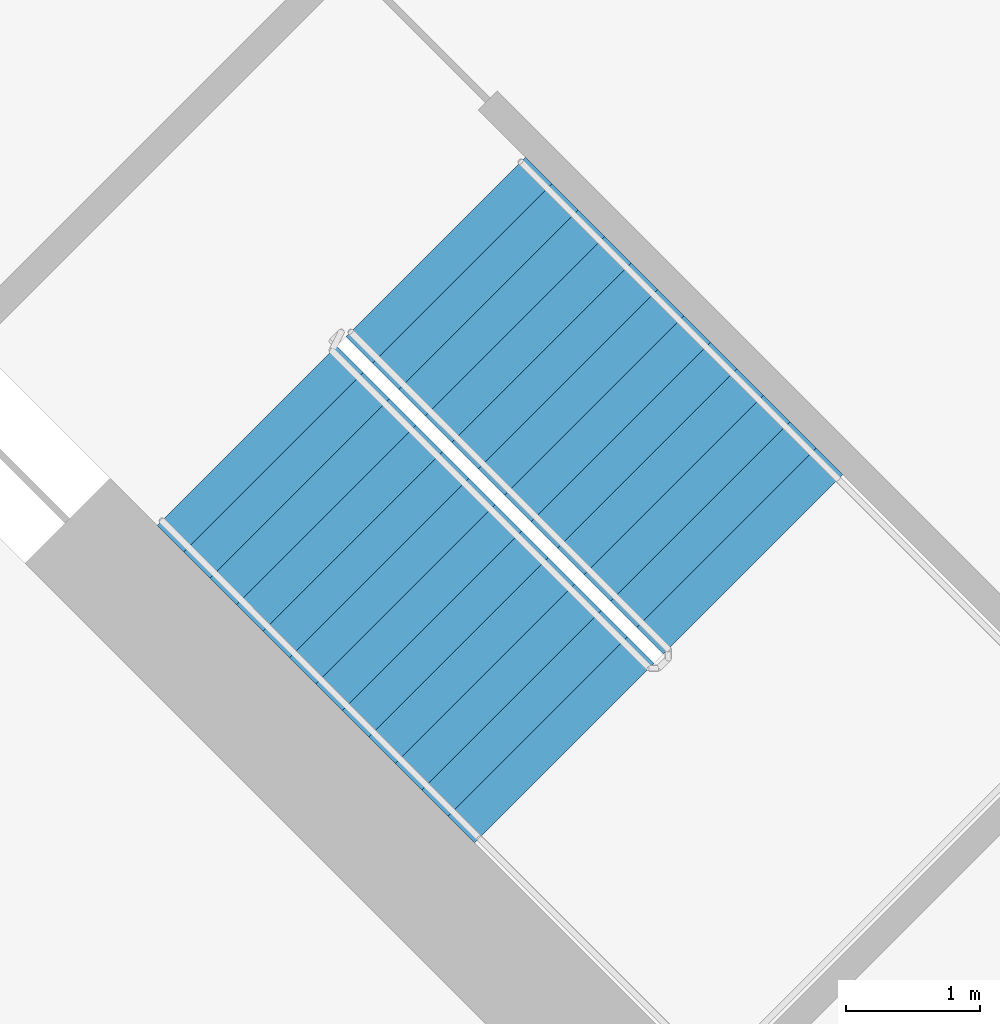
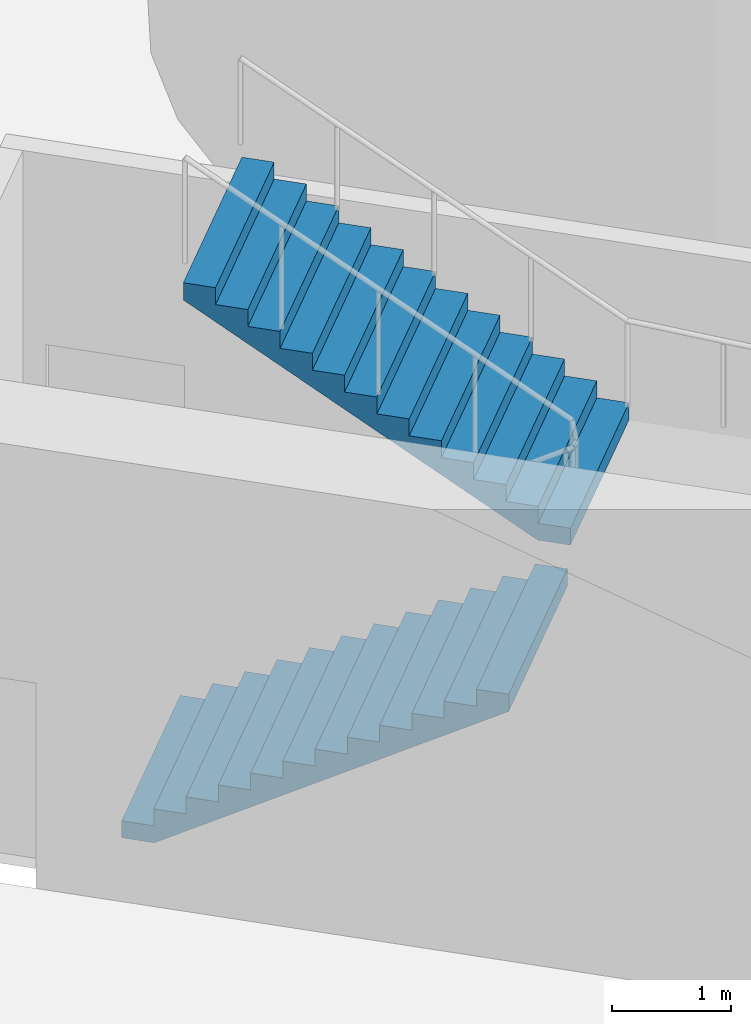
# One storey, part 10 of 21: 2 stair flights, 1 element without a shape of its own.
"""IFC4 building model written with IfcOpenShell, lengths in metres."""

import ifcopenshell
import ifcopenshell.guid

model = None  # the IFC model being written
_history = None  # IfcOwnerHistory: only IFC2X3 demands one
_inside = {}  # id of a spatial element -> (the spatial element, [elements in it])
_under = {}  # id of a project, library or spatial element -> (it, [spatial elements below it])
_declared = {}  # id of a project -> (the project, [libraries it declares])
_typed = {}  # id of a type object -> (the type object, [elements of that type])
_made_of = {}  # id of a material, layer set ... -> (it, [elements and type objects made of it])


def new_model(schema):
    """Start an empty IFC model of exactly this schema.

    Asked for "IFC4X3", IfcOpenShell would pick the latest addendum, in which some entities
    have other attributes; the version numbers below select the first issue.
    IFC2X3 requires an IfcOwnerHistory on every rooted entity: one is made here for all.
    """
    global model, _history
    if schema == "IFC4X3":
        model = ifcopenshell.file(schema_version=(4, 3, 0, 0))
    else:
        model = ifcopenshell.file(schema=schema)
    _inside.clear()
    _under.clear()
    _declared.clear()
    _typed.clear()
    _made_of.clear()
    _history = None
    if model.schema == "IFC2X3":
        org = make("IfcOrganization", Name="unknown")
        user = make(
            "IfcPersonAndOrganization",
            ThePerson=make("IfcPerson", FamilyName="unknown"),
            TheOrganization=org,
        )
        app = make(
            "IfcApplication",
            ApplicationDeveloper=org,
            Version="unknown",
            ApplicationFullName="unknown",
            ApplicationIdentifier="unknown",
        )
        _history = make(
            "IfcOwnerHistory",
            OwningUser=user,
            OwningApplication=app,
            ChangeAction="ADDED",
            CreationDate=0,
        )
    return model


def make(cls, **values):
    """One entity of the class cls with the attributes given. An attribute that is None is left unset."""
    return model.create_entity(
        cls, **{name: value for name, value in values.items() if value is not None}
    )


def rooted(cls, **values):
    """An entity with a GlobalId (a new one), such as an element, a storey or a relation."""
    return make(cls, GlobalId=ifcopenshell.guid.new(), OwnerHistory=_history, **values)


def si_unit(unit_type, name, prefix=None):
    """IfcSIUnit, for example si_unit("LENGTHUNIT", "METRE", prefix="MILLI")."""
    return make("IfcSIUnit", UnitType=unit_type, Prefix=prefix, Name=name)


def assignment(units):
    """IfcUnitAssignment: the units of a project."""
    return None if units is None else make("IfcUnitAssignment", Units=units)


def point(xyz):
    """IfcCartesianPoint."""
    return None if xyz is None else make("IfcCartesianPoint", Coordinates=xyz)


def direction(xyz):
    """IfcDirection."""
    return None if xyz is None else make("IfcDirection", DirectionRatios=xyz)


def frame(location, z_axis=None, x_axis=None):
    """IfcAxis2Placement3D, a coordinate frame: its origin and axes. An axis left out is left unset."""
    return make(
        "IfcAxis2Placement3D",
        Location=point(location),
        Axis=direction(z_axis),
        RefDirection=direction(x_axis),
    )


def origin():
    """The frame at (0, 0, 0) with its axes left unset."""
    return frame((0.0, 0.0, 0.0))


def place(relative_to, where):
    """IfcLocalPlacement: puts the frame where relative to a parent placement (None: the world)."""
    return make(
        "IfcLocalPlacement", PlacementRelTo=relative_to, RelativePlacement=where
    )


def context(
    kind, dimensions, precision=None, world=None, true_north=None, identifier=None
):
    """IfcGeometricRepresentationContext, for example the 3D "Model" context."""
    return make(
        "IfcGeometricRepresentationContext",
        ContextIdentifier=identifier,
        ContextType=kind,
        CoordinateSpaceDimension=dimensions,
        Precision=precision,
        WorldCoordinateSystem=world,
        TrueNorth=true_north,
    )


def subcontext(parent, identifier, kind, view, scale=None):
    """IfcGeometricRepresentationSubContext, for example "Body" below "Model"."""
    return make(
        "IfcGeometricRepresentationSubContext",
        ContextIdentifier=identifier,
        ContextType=kind,
        ParentContext=parent,
        TargetScale=scale,
        TargetView=view,
    )


def project(units=None, contexts=None):
    """IfcProject with its units and contexts."""
    return rooted(
        "IfcProject",
        Name="project",
        RepresentationContexts=contexts,
        UnitsInContext=assignment(units),
    )


def spatial(cls, under=None, at=None, **own):
    """A site, building, storey or space (cls), placed at a placement, below another one or the project."""
    s = rooted(cls, ObjectPlacement=at, **own)
    if under is not None:
        _under.setdefault(under.id(), (under, []))[1].append(s)
    return s


def point_list(points):
    """IfcCartesianPointList2D or 3D."""
    cls = (
        "IfcCartesianPointList2D" if len(points[0]) == 2 else "IfcCartesianPointList3D"
    )
    return make(cls, CoordList=points)


def triangles(points, corners, closed=None, point_numbers=None):
    """IfcTriangulatedFaceSet: each triangle names its three corners, points numbered from 1."""
    return make(
        "IfcTriangulatedFaceSet",
        Coordinates=point_list(points),
        Closed=closed,
        CoordIndex=corners,
        PnIndex=point_numbers,
    )


def shape(context_of_items, identifier, shape_type, items):
    """IfcShapeRepresentation: the items that make up one representation, for example the "Body"."""
    return make(
        "IfcShapeRepresentation",
        ContextOfItems=context_of_items,
        RepresentationIdentifier=identifier,
        RepresentationType=shape_type,
        Items=items,
    )


def material(Name=None, Category=None):
    """IfcMaterial."""
    return make("IfcMaterial", Name=Name, Category=Category)


def made_of(thing, what):
    """Note that an element or type object is made of a material, layer set ...; save() writes the relation."""
    if what is not None:
        _made_of.setdefault(what.id(), (what, []))[1].append(thing)
    return thing


def type_object(cls, material=None, **own):
    """A type object (cls), such as IfcWallType, which elements share."""
    return made_of(rooted(cls, **own), material)


def element(
    cls,
    number,
    at=None,
    inside=None,
    cuts=None,
    type_object=None,
    material=None,
    context=None,
    identifier="Body",
    shape_type=None,
    held_by="IfcProductDefinitionShape",
    body=None,
    shapes=None,
    **own,
):
    """One element of the class cls, such as IfcWall. Its Tag is "e" and its number.

    at: its placement. inside: the storey or other place that contains it. cuts: it is an
    opening in that element (IfcRelVoidsElement). A single representation is given by context,
    identifier, shape_type and body (its items); several are given by shapes. held_by: the class
    of the entity that holds the representations. save() writes the other relations.
    """
    e = rooted(cls, Tag="e%d" % number, ObjectPlacement=at, **own)
    if body is not None:
        shapes = [shape(context, identifier, shape_type, body)]
    if shapes is not None:
        e.Representation = make(held_by, Representations=shapes)
    if inside is not None:
        _inside.setdefault(inside.id(), (inside, []))[1].append(e)
    if cuts is not None:
        rooted(
            "IfcRelVoidsElement", RelatingBuildingElement=cuts, RelatedOpeningElement=e
        )
    if type_object is not None:
        _typed.setdefault(type_object.id(), (type_object, []))[1].append(e)
    return made_of(e, material)


def aggregate(whole, parts):
    """IfcRelAggregates: a whole, such as a stair, and the parts it consists of."""
    return rooted("IfcRelAggregates", RelatingObject=whole, RelatedObjects=parts)


def save(model, path):
    """Write the relations noted so far, then the file.

    IfcRelAggregates (storeys below a building ...), IfcRelContainedInSpatialStructure (elements
    in a storey), IfcRelDefinesByType, IfcRelAssociatesMaterial and IfcRelDeclares: one each for
    every whole, place, type object, material and project.
    """
    for whole, parts in _under.values():
        aggregate(whole, parts)
    for where, things in _inside.values():
        rooted(
            "IfcRelContainedInSpatialStructure",
            RelatedElements=things,
            RelatingStructure=where,
        )
    for kind, things in _typed.values():
        rooted("IfcRelDefinesByType", RelatedObjects=things, RelatingType=kind)
    for what, things in _made_of.values():
        rooted("IfcRelAssociatesMaterial", RelatedObjects=things, RelatingMaterial=what)
    for by, libraries in _declared.values():
        rooted("IfcRelDeclares", RelatingContext=by, RelatedDefinitions=libraries)
    model.write(path)


model = new_model("IFC4")

# Units and contexts
model_context = context("Model", 3, precision=1e-05, world=origin(), true_north=direction((0.0, 1.0)))
body_context = subcontext(model_context, "Body", "Model", "MODEL_VIEW")
ifc_project = project(units=[si_unit("LENGTHUNIT", "METRE"), si_unit("AREAUNIT", "SQUARE_METRE"), si_unit("VOLUMEUNIT", "CUBIC_METRE"), si_unit("PLANEANGLEUNIT", "RADIAN"), si_unit("MASSUNIT", "GRAM", prefix="KILO")], contexts=[model_context])

# Site, building, storey
site_placement = place(None, origin())
site = spatial("IfcSite", under=ifc_project, at=site_placement, CompositionType="ELEMENT")
building_placement = place(site_placement, origin())
building = spatial("IfcBuilding", under=site, at=building_placement, Name="Verdalira Terraces Hotel", CompositionType="ELEMENT")
storey_placement = place(building_placement, frame((0.0, 0.0, 19.0)))
storey = spatial("IfcBuildingStorey", under=building, at=storey_placement, Name="L03", CompositionType="ELEMENT", Elevation=19.0)

# Stair, stair flights
ifc_material_1 = material(Name="Concrete C40", Category="concrete")
stair_type = type_object("IfcStairType", Name="Core stair 26 risers 1900 mm wide", PredefinedType="HALF_TURN_STAIR", material=ifc_material_1)
stair_placement = place(storey_placement, origin())
stair = element("IfcStair", 1, at=stair_placement, inside=storey, type_object=stair_type, Name="L03 Exit stair ST2", PredefinedType="HALF_TURN_STAIR")
ifc_material_2 = material(Name="Concrete C40", Category="concrete")
stair_flight_type = type_object("IfcStairFlightType", Name="Core stair flight 26 risers 1900 mm wide", PredefinedType="STRAIGHT", material=ifc_material_2)
stair_flight_1_placement = place(storey_placement, frame((-10.005615, -7.177246, 0.0), z_axis=(0.0, 0.0, 1.0), x_axis=(0.707106781, -0.707106781, 0.0)))
stair_flight_1 = element("IfcStairFlight", 2, at=stair_flight_1_placement, type_object=stair_flight_type, Name="ST2 flight 1", NumberOfRisers=13, NumberOfTreads=12, PredefinedType="STRAIGHT", RiserHeight=0.173076923, TreadLength=0.28, context=body_context, shape_type="Tessellation", body=[
    triangles([(0.0, 0.949951, 0.0), (0.285156, 0.949951, 0.0), (3.360107, 0.949951, 1.900635), (0.0, -0.949951, 0.0), (0.285156, -0.949951, 0.0), (3.360107, -0.949951, 1.900635), (3.360107, 0.949951, 2.076904), (3.080078, 0.949951, 2.076904), (3.360107, -0.949951, 2.076904), (3.080078, -0.949951, 2.076904), (3.080078, 0.949951, 1.903809), (3.080078, -0.949951, 1.903809), (2.800049, 0.949951, 1.903809), (2.800049, -0.949951, 1.903809), (2.800049, 0.949951, 1.730713), (2.800049, -0.949951, 1.730713), (2.52002, 0.949951, 1.730713), (2.52002, 0.949951, 1.557617), (2.52002, -0.949951, 1.730713), (2.52002, -0.949951, 1.557617), (2.23999, 0.949951, 1.557617), (2.23999, 0.949951, 1.384521), (2.23999, -0.949951, 1.557617), (2.23999, -0.949951, 1.384521), (1.959961, 0.949951, 1.384521), (1.959961, 0.949951, 1.211426), (1.959961, -0.949951, 1.384521), (1.959961, -0.949951, 1.211426), (1.679932, 0.949951, 1.211426), (1.679932, 0.949951, 1.038574), (1.679932, -0.949951, 1.211426), (1.679932, -0.949951, 1.038574), (1.399902, 0.949951, 1.038574), (1.399902, 0.949951, 0.865479), (1.399902, -0.949951, 1.038574), (1.399902, -0.949951, 0.865479), (1.120117, 0.949951, 0.865479), (1.120117, 0.949951, 0.692383), (1.120117, -0.949951, 0.865479), (1.120117, -0.949951, 0.692383), (0.840088, 0.949951, 0.692383), (0.840088, 0.949951, 0.519287), (0.840088, -0.949951, 0.692383), (0.840088, -0.949951, 0.519287), (0.560059, 0.949951, 0.519287), (0.560059, 0.949951, 0.346191), (0.560059, -0.949951, 0.519287), (0.560059, -0.949951, 0.346191), (0.280029, 0.949951, 0.346191), (0.280029, 0.949951, 0.173096), (0.280029, -0.949951, 0.346191), (0.280029, -0.949951, 0.173096), (0.0, 0.949951, 0.173096), (0.0, -0.949951, 0.173096), (0.0, -0.890579, 0.0), (0.0, -0.890579, 0.173096), (0.0, -0.831207, 0.0), (0.0, -0.831207, 0.173096), (0.0, -0.771835, 0.0), (0.0, -0.771835, 0.173096), (0.0, -0.712463, 0.0), (0.0, -0.712463, 0.173096), (0.0, -0.653091, 0.0), (0.0, -0.653091, 0.173096), (0.0, -0.593719, 0.0), (0.0, -0.593719, 0.173096), (0.0, -0.534348, 0.0), (0.0, -0.534348, 0.173096), (0.0, -0.474976, 0.0), (0.0, -0.474976, 0.173096), (0.0, -0.415604, 0.0), (0.0, -0.415604, 0.173096), (0.0, -0.356232, 0.0), (0.0, -0.356232, 0.173096), (0.0, -0.29686, 0.0), (0.0, -0.29686, 0.173096), (0.0, -0.237488, 0.0), (0.0, -0.237488, 0.173096), (0.0, -0.178116, 0.0), (0.0, -0.178116, 0.173096), (0.0, -0.118744, 0.0), (0.0, -0.118744, 0.173096), (0.0, -0.059372, 0.0), (0.0, -0.059372, 0.173096), (0.0, 0.0, 0.0), (0.0, 0.0, 0.173096), (0.0, 0.059372, 0.0), (0.0, 0.059372, 0.173096), (0.0, 0.118744, 0.0), (0.0, 0.118744, 0.173096), (0.0, 0.178116, 0.0), (0.0, 0.178116, 0.173096), (0.0, 0.237488, 0.0), (0.0, 0.237488, 0.173096), (0.0, 0.29686, 0.0), (0.0, 0.29686, 0.173096), (0.0, 0.356232, 0.0), (0.0, 0.356232, 0.173096), (0.0, 0.415604, 0.0), (0.0, 0.415604, 0.173096), (0.0, 0.474976, 0.0), (0.0, 0.474976, 0.173096), (0.0, 0.534348, 0.0), (0.0, 0.534348, 0.173096), (0.0, 0.593719, 0.0), (0.0, 0.593719, 0.173096), (0.0, 0.653091, 0.0), (0.0, 0.653091, 0.173096), (0.0, 0.712463, 0.0), (0.0, 0.712463, 0.173096), (0.0, 0.771835, 0.0), (0.0, 0.771835, 0.173096), (0.0, 0.831207, 0.0), (0.0, 0.831207, 0.173096), (0.0, 0.890579, 0.0), (0.0, 0.890579, 0.173096), (3.360107, -0.890579, 2.076904), (3.360107, -0.831207, 2.076904), (3.360107, -0.771835, 2.076904), (3.360107, -0.712463, 2.076904), (3.360107, -0.653091, 2.076904), (3.360107, -0.593719, 2.076904), (3.360107, -0.534348, 2.076904), (3.360107, -0.474976, 2.076904), (3.360107, -0.415604, 2.076904), (3.360107, -0.356232, 2.076904), (3.360107, -0.29686, 2.076904), (3.360107, -0.237488, 2.076904), (3.360107, -0.178116, 2.076904), (3.360107, -0.118744, 2.076904), (3.360107, -0.059372, 2.076904), (3.360107, 0.0, 2.076904), (3.360107, 0.059372, 2.076904), (3.360107, 0.118744, 2.076904), (3.360107, 0.178116, 2.076904), (3.360107, 0.237488, 2.076904), (3.360107, 0.29686, 2.076904), (3.360107, 0.356232, 2.076904), (3.360107, 0.415604, 2.076904), (3.360107, 0.474976, 2.076904), (3.360107, 0.534348, 2.076904), (3.360107, 0.593719, 2.076904), (3.360107, 0.653091, 2.076904), (3.360107, 0.712463, 2.076904), (3.360107, 0.771835, 2.076904), (3.360107, 0.831207, 2.076904), (3.360107, 0.890579, 2.076904), (3.360107, -0.890579, 1.900635), (3.360107, -0.831207, 1.900635), (3.360107, -0.771835, 1.900635), (3.360107, -0.712463, 1.900635), (3.360107, -0.653091, 1.900635), (3.360107, -0.593719, 1.900635), (3.360107, -0.534348, 1.900635), (3.360107, -0.474976, 1.900635), (3.360107, -0.415604, 1.900635), (3.360107, -0.356232, 1.900635), (3.360107, -0.29686, 1.900635), (3.360107, -0.237488, 1.900635), (3.360107, -0.178116, 1.900635), (3.360107, -0.118744, 1.900635), (3.360107, -0.059372, 1.900635), (3.360107, 0.0, 1.900635), (3.360107, 0.059372, 1.900635), (3.360107, 0.118744, 1.900635), (3.360107, 0.178116, 1.900635), (3.360107, 0.237488, 1.900635), (3.360107, 0.29686, 1.900635), (3.360107, 0.356232, 1.900635), (3.360107, 0.415604, 1.900635), (3.360107, 0.474976, 1.900635), (3.360107, 0.534348, 1.900635), (3.360107, 0.593719, 1.900635), (3.360107, 0.653091, 1.900635), (3.360107, 0.712463, 1.900635), (3.360107, 0.771835, 1.900635), (3.360107, 0.831207, 1.900635), (3.360107, 0.890579, 1.900635)], [[1, 3, 2], [4, 5, 6], [3, 8, 7], [6, 9, 10], [3, 11, 8], [6, 10, 12], [3, 13, 11], [6, 12, 14], [3, 15, 13], [6, 14, 16], [15, 18, 17], [16, 19, 20], [3, 18, 15], [6, 16, 20], [18, 22, 21], [20, 23, 24], [3, 22, 18], [6, 20, 24], [22, 26, 25], [24, 27, 28], [3, 26, 22], [6, 24, 28], [1, 26, 3], [4, 6, 28], [26, 30, 29], [28, 31, 32], [30, 34, 33], [32, 35, 36], [26, 34, 30], [28, 32, 36], [34, 38, 37], [36, 39, 40], [26, 38, 34], [28, 36, 40], [38, 42, 41], [40, 43, 44], [26, 42, 38], [28, 40, 44], [42, 46, 45], [44, 47, 48], [26, 46, 42], [28, 44, 48], [46, 50, 49], [48, 51, 52], [26, 50, 46], [28, 48, 52], [1, 50, 26], [4, 28, 52], [50, 1, 53], [52, 54, 4], [4, 56, 55], [4, 54, 56], [55, 58, 57], [55, 56, 58], [57, 60, 59], [57, 58, 60], [59, 62, 61], [59, 60, 62], [61, 64, 63], [61, 62, 64], [63, 66, 65], [63, 64, 66], [65, 68, 67], [65, 66, 68], [67, 70, 69], [67, 68, 70], [69, 72, 71], [69, 70, 72], [71, 74, 73], [71, 72, 74], [73, 76, 75], [73, 74, 76], [75, 78, 77], [75, 76, 78], [77, 80, 79], [77, 78, 80], [79, 82, 81], [79, 80, 82], [81, 84, 83], [81, 82, 84], [83, 86, 85], [83, 84, 86], [85, 88, 87], [85, 86, 88], [87, 90, 89], [87, 88, 90], [89, 92, 91], [89, 90, 92], [91, 94, 93], [91, 92, 94], [93, 96, 95], [93, 94, 96], [95, 98, 97], [95, 96, 98], [97, 100, 99], [97, 98, 100], [99, 102, 101], [99, 100, 102], [101, 104, 103], [101, 102, 104], [103, 106, 105], [103, 104, 106], [105, 108, 107], [105, 106, 108], [107, 110, 109], [107, 108, 110], [109, 112, 111], [109, 110, 112], [111, 114, 113], [111, 112, 114], [113, 116, 115], [113, 114, 116], [115, 53, 1], [115, 116, 53], [54, 52, 56], [56, 52, 58], [58, 52, 60], [60, 52, 62], [62, 52, 64], [64, 52, 66], [66, 52, 68], [68, 52, 70], [70, 52, 72], [72, 52, 74], [74, 52, 76], [76, 52, 78], [78, 52, 80], [80, 52, 82], [82, 52, 84], [84, 52, 86], [86, 52, 88], [88, 52, 90], [90, 52, 92], [92, 52, 94], [94, 52, 96], [96, 52, 98], [98, 52, 100], [100, 52, 102], [102, 52, 104], [104, 52, 106], [106, 52, 108], [108, 52, 110], [110, 52, 112], [112, 52, 114], [114, 52, 116], [116, 52, 53], [53, 52, 50], [52, 49, 50], [52, 51, 49], [51, 46, 49], [51, 48, 46], [48, 45, 46], [48, 47, 45], [47, 42, 45], [47, 44, 42], [44, 41, 42], [44, 43, 41], [43, 38, 41], [43, 40, 38], [40, 37, 38], [40, 39, 37], [39, 34, 37], [39, 36, 34], [36, 33, 34], [36, 35, 33], [35, 30, 33], [35, 32, 30], [32, 29, 30], [32, 31, 29], [31, 26, 29], [31, 28, 26], [28, 25, 26], [28, 27, 25], [27, 22, 25], [27, 24, 22], [24, 21, 22], [24, 23, 21], [23, 18, 21], [23, 20, 18], [20, 17, 18], [20, 19, 17], [19, 15, 17], [19, 16, 15], [16, 13, 15], [16, 14, 13], [14, 11, 13], [14, 12, 11], [12, 8, 11], [12, 10, 8], [9, 117, 10], [117, 118, 10], [118, 119, 10], [119, 120, 10], [120, 121, 10], [121, 122, 10], [122, 123, 10], [123, 124, 10], [124, 125, 10], [125, 126, 10], [126, 127, 10], [127, 128, 10], [128, 129, 10], [129, 130, 10], [130, 131, 10], [131, 132, 10], [132, 133, 10], [133, 134, 10], [134, 135, 10], [135, 136, 10], [136, 137, 10], [137, 138, 10], [138, 139, 10], [139, 140, 10], [140, 141, 10], [141, 142, 10], [142, 143, 10], [143, 144, 10], [144, 145, 10], [145, 146, 10], [146, 147, 10], [147, 7, 10], [7, 8, 10], [9, 148, 117], [9, 6, 148], [117, 149, 118], [117, 148, 149], [118, 150, 119], [118, 149, 150], [119, 151, 120], [119, 150, 151], [120, 152, 121], [120, 151, 152], [121, 153, 122], [121, 152, 153], [122, 154, 123], [122, 153, 154], [123, 155, 124], [123, 154, 155], [124, 156, 125], [124, 155, 156], [125, 157, 126], [125, 156, 157], [126, 158, 127], [126, 157, 158], [127, 159, 128], [127, 158, 159], [128, 160, 129], [128, 159, 160], [129, 161, 130], [129, 160, 161], [130, 162, 131], [130, 161, 162], [131, 163, 132], [131, 162, 163], [132, 164, 133], [132, 163, 164], [133, 165, 134], [133, 164, 165], [134, 166, 135], [134, 165, 166], [135, 167, 136], [135, 166, 167], [136, 168, 137], [136, 167, 168], [137, 169, 138], [137, 168, 169], [138, 170, 139], [138, 169, 170], [139, 171, 140], [139, 170, 171], [140, 172, 141], [140, 171, 172], [141, 173, 142], [141, 172, 173], [142, 174, 143], [142, 173, 174], [143, 175, 144], [143, 174, 175], [144, 176, 145], [144, 175, 176], [145, 177, 146], [145, 176, 177], [146, 178, 147], [146, 177, 178], [147, 3, 7], [147, 178, 3], [6, 5, 148], [148, 5, 149], [149, 5, 150], [150, 5, 151], [151, 5, 152], [152, 5, 153], [153, 5, 154], [154, 5, 155], [155, 5, 156], [156, 5, 157], [157, 5, 158], [158, 5, 159], [159, 5, 160], [160, 5, 161], [161, 5, 162], [162, 5, 163], [163, 5, 164], [164, 5, 165], [165, 5, 166], [166, 5, 167], [167, 5, 168], [168, 5, 169], [169, 5, 170], [170, 5, 171], [171, 5, 172], [172, 5, 173], [173, 5, 174], [174, 5, 175], [175, 5, 176], [176, 5, 177], [177, 5, 178], [178, 5, 3], [3, 5, 2], [4, 55, 5], [55, 57, 5], [57, 59, 5], [59, 61, 5], [61, 63, 5], [63, 65, 5], [65, 67, 5], [67, 69, 5], [69, 71, 5], [71, 73, 5], [73, 75, 5], [75, 77, 5], [77, 79, 5], [79, 81, 5], [81, 83, 5], [83, 85, 5], [85, 87, 5], [87, 89, 5], [89, 91, 5], [91, 93, 5], [93, 95, 5], [95, 97, 5], [97, 99, 5], [99, 101, 5], [101, 103, 5], [103, 105, 5], [105, 107, 5], [107, 109, 5], [109, 111, 5], [111, 113, 5], [113, 115, 5], [115, 1, 5], [1, 2, 5]], closed=True),
])
stair_flight_2_placement = place(storey_placement, frame((-6.215576, -8.138916, 2.25), z_axis=(0.0, 0.0, 1.0), x_axis=(-0.707106781, 0.707106781, 0.0)))
stair_flight_2 = element("IfcStairFlight", 3, at=stair_flight_2_placement, type_object=stair_flight_type, Name="ST2 flight 2", NumberOfRisers=13, NumberOfTreads=12, PredefinedType="STRAIGHT", RiserHeight=0.173076923, TreadLength=0.28, context=body_context, shape_type="Tessellation", body=[
    triangles([(0.0, 0.949951, 0.0), (0.285156, 0.949951, 0.0), (3.360107, 0.949951, 1.900635), (0.0, -0.949951, 0.0), (0.285156, -0.949951, 0.0), (3.360107, -0.949951, 1.900635), (3.360107, 0.949951, 2.076904), (3.080078, 0.949951, 2.076904), (3.360107, -0.949951, 2.076904), (3.080078, -0.949951, 2.076904), (3.080078, 0.949951, 1.903809), (3.080078, -0.949951, 1.903809), (2.800049, 0.949951, 1.903809), (2.800049, -0.949951, 1.903809), (2.800049, 0.949951, 1.730713), (2.800049, -0.949951, 1.730713), (2.52002, 0.949951, 1.730713), (2.52002, 0.949951, 1.557617), (2.52002, -0.949951, 1.730713), (2.52002, -0.949951, 1.557617), (2.23999, 0.949951, 1.557617), (2.23999, 0.949951, 1.384521), (2.23999, -0.949951, 1.557617), (2.23999, -0.949951, 1.384521), (1.959961, 0.949951, 1.384521), (1.959961, 0.949951, 1.211426), (1.959961, -0.949951, 1.384521), (1.959961, -0.949951, 1.211426), (1.679932, 0.949951, 1.211426), (1.679932, 0.949951, 1.038574), (1.679932, -0.949951, 1.211426), (1.679932, -0.949951, 1.038574), (1.399902, 0.949951, 1.038574), (1.399902, 0.949951, 0.865479), (1.399902, -0.949951, 1.038574), (1.399902, -0.949951, 0.865479), (1.120117, 0.949951, 0.865479), (1.120117, 0.949951, 0.692383), (1.120117, -0.949951, 0.865479), (1.120117, -0.949951, 0.692383), (0.840088, 0.949951, 0.692383), (0.840088, 0.949951, 0.519287), (0.840088, -0.949951, 0.692383), (0.840088, -0.949951, 0.519287), (0.560059, 0.949951, 0.519287), (0.560059, 0.949951, 0.346191), (0.560059, -0.949951, 0.519287), (0.560059, -0.949951, 0.346191), (0.280029, 0.949951, 0.346191), (0.280029, 0.949951, 0.173096), (0.280029, -0.949951, 0.346191), (0.280029, -0.949951, 0.173096), (0.0, 0.949951, 0.173096), (0.0, -0.949951, 0.173096), (0.0, -0.890579, 0.0), (0.0, -0.890579, 0.173096), (0.0, -0.831207, 0.0), (0.0, -0.831207, 0.173096), (0.0, -0.771835, 0.0), (0.0, -0.771835, 0.173096), (0.0, -0.712463, 0.0), (0.0, -0.712463, 0.173096), (0.0, -0.653091, 0.0), (0.0, -0.653091, 0.173096), (0.0, -0.593719, 0.0), (0.0, -0.593719, 0.173096), (0.0, -0.534348, 0.0), (0.0, -0.534348, 0.173096), (0.0, -0.474976, 0.0), (0.0, -0.474976, 0.173096), (0.0, -0.415604, 0.0), (0.0, -0.415604, 0.173096), (0.0, -0.356232, 0.0), (0.0, -0.356232, 0.173096), (0.0, -0.29686, 0.0), (0.0, -0.29686, 0.173096), (0.0, -0.237488, 0.0), (0.0, -0.237488, 0.173096), (0.0, -0.178116, 0.0), (0.0, -0.178116, 0.173096), (0.0, -0.118744, 0.0), (0.0, -0.118744, 0.173096), (0.0, -0.059372, 0.0), (0.0, -0.059372, 0.173096), (0.0, 0.0, 0.0), (0.0, 0.0, 0.173096), (0.0, 0.059372, 0.0), (0.0, 0.059372, 0.173096), (0.0, 0.118744, 0.0), (0.0, 0.118744, 0.173096), (0.0, 0.178116, 0.0), (0.0, 0.178116, 0.173096), (0.0, 0.237488, 0.0), (0.0, 0.237488, 0.173096), (0.0, 0.29686, 0.0), (0.0, 0.29686, 0.173096), (0.0, 0.356232, 0.0), (0.0, 0.356232, 0.173096), (0.0, 0.415604, 0.0), (0.0, 0.415604, 0.173096), (0.0, 0.474976, 0.0), (0.0, 0.474976, 0.173096), (0.0, 0.534348, 0.0), (0.0, 0.534348, 0.173096), (0.0, 0.593719, 0.0), (0.0, 0.593719, 0.173096), (0.0, 0.653091, 0.0), (0.0, 0.653091, 0.173096), (0.0, 0.712463, 0.0), (0.0, 0.712463, 0.173096), (0.0, 0.771835, 0.0), (0.0, 0.771835, 0.173096), (0.0, 0.831207, 0.0), (0.0, 0.831207, 0.173096), (0.0, 0.890579, 0.0), (0.0, 0.890579, 0.173096), (3.360107, -0.890579, 2.076904), (3.360107, -0.831207, 2.076904), (3.360107, -0.771835, 2.076904), (3.360107, -0.712463, 2.076904), (3.360107, -0.653091, 2.076904), (3.360107, -0.593719, 2.076904), (3.360107, -0.534348, 2.076904), (3.360107, -0.474976, 2.076904), (3.360107, -0.415604, 2.076904), (3.360107, -0.356232, 2.076904), (3.360107, -0.29686, 2.076904), (3.360107, -0.237488, 2.076904), (3.360107, -0.178116, 2.076904), (3.360107, -0.118744, 2.076904), (3.360107, -0.059372, 2.076904), (3.360107, 0.0, 2.076904), (3.360107, 0.059372, 2.076904), (3.360107, 0.118744, 2.076904), (3.360107, 0.178116, 2.076904), (3.360107, 0.237488, 2.076904), (3.360107, 0.29686, 2.076904), (3.360107, 0.356232, 2.076904), (3.360107, 0.415604, 2.076904), (3.360107, 0.474976, 2.076904), (3.360107, 0.534348, 2.076904), (3.360107, 0.593719, 2.076904), (3.360107, 0.653091, 2.076904), (3.360107, 0.712463, 2.076904), (3.360107, 0.771835, 2.076904), (3.360107, 0.831207, 2.076904), (3.360107, 0.890579, 2.076904), (3.360107, -0.890579, 1.900635), (3.360107, -0.831207, 1.900635), (3.360107, -0.771835, 1.900635), (3.360107, -0.712463, 1.900635), (3.360107, -0.653091, 1.900635), (3.360107, -0.593719, 1.900635), (3.360107, -0.534348, 1.900635), (3.360107, -0.474976, 1.900635), (3.360107, -0.415604, 1.900635), (3.360107, -0.356232, 1.900635), (3.360107, -0.29686, 1.900635), (3.360107, -0.237488, 1.900635), (3.360107, -0.178116, 1.900635), (3.360107, -0.118744, 1.900635), (3.360107, -0.059372, 1.900635), (3.360107, 0.0, 1.900635), (3.360107, 0.059372, 1.900635), (3.360107, 0.118744, 1.900635), (3.360107, 0.178116, 1.900635), (3.360107, 0.237488, 1.900635), (3.360107, 0.29686, 1.900635), (3.360107, 0.356232, 1.900635), (3.360107, 0.415604, 1.900635), (3.360107, 0.474976, 1.900635), (3.360107, 0.534348, 1.900635), (3.360107, 0.593719, 1.900635), (3.360107, 0.653091, 1.900635), (3.360107, 0.712463, 1.900635), (3.360107, 0.771835, 1.900635), (3.360107, 0.831207, 1.900635), (3.360107, 0.890579, 1.900635)], [[1, 3, 2], [4, 5, 6], [3, 8, 7], [6, 9, 10], [3, 11, 8], [6, 10, 12], [3, 13, 11], [6, 12, 14], [3, 15, 13], [6, 14, 16], [15, 18, 17], [16, 19, 20], [3, 18, 15], [6, 16, 20], [18, 22, 21], [20, 23, 24], [3, 22, 18], [6, 20, 24], [22, 26, 25], [24, 27, 28], [3, 26, 22], [6, 24, 28], [1, 26, 3], [4, 6, 28], [26, 30, 29], [28, 31, 32], [30, 34, 33], [32, 35, 36], [26, 34, 30], [28, 32, 36], [34, 38, 37], [36, 39, 40], [26, 38, 34], [28, 36, 40], [38, 42, 41], [40, 43, 44], [26, 42, 38], [28, 40, 44], [42, 46, 45], [44, 47, 48], [26, 46, 42], [28, 44, 48], [46, 50, 49], [48, 51, 52], [26, 50, 46], [28, 48, 52], [1, 50, 26], [4, 28, 52], [50, 1, 53], [52, 54, 4], [4, 56, 55], [4, 54, 56], [55, 58, 57], [55, 56, 58], [57, 60, 59], [57, 58, 60], [59, 62, 61], [59, 60, 62], [61, 64, 63], [61, 62, 64], [63, 66, 65], [63, 64, 66], [65, 68, 67], [65, 66, 68], [67, 70, 69], [67, 68, 70], [69, 72, 71], [69, 70, 72], [71, 74, 73], [71, 72, 74], [73, 76, 75], [73, 74, 76], [75, 78, 77], [75, 76, 78], [77, 80, 79], [77, 78, 80], [79, 82, 81], [79, 80, 82], [81, 84, 83], [81, 82, 84], [83, 86, 85], [83, 84, 86], [85, 88, 87], [85, 86, 88], [87, 90, 89], [87, 88, 90], [89, 92, 91], [89, 90, 92], [91, 94, 93], [91, 92, 94], [93, 96, 95], [93, 94, 96], [95, 98, 97], [95, 96, 98], [97, 100, 99], [97, 98, 100], [99, 102, 101], [99, 100, 102], [101, 104, 103], [101, 102, 104], [103, 106, 105], [103, 104, 106], [105, 108, 107], [105, 106, 108], [107, 110, 109], [107, 108, 110], [109, 112, 111], [109, 110, 112], [111, 114, 113], [111, 112, 114], [113, 116, 115], [113, 114, 116], [115, 53, 1], [115, 116, 53], [54, 52, 56], [56, 52, 58], [58, 52, 60], [60, 52, 62], [62, 52, 64], [64, 52, 66], [66, 52, 68], [68, 52, 70], [70, 52, 72], [72, 52, 74], [74, 52, 76], [76, 52, 78], [78, 52, 80], [80, 52, 82], [82, 52, 84], [84, 52, 86], [86, 52, 88], [88, 52, 90], [90, 52, 92], [92, 52, 94], [94, 52, 96], [96, 52, 98], [98, 52, 100], [100, 52, 102], [102, 52, 104], [104, 52, 106], [106, 52, 108], [108, 52, 110], [110, 52, 112], [112, 52, 114], [114, 52, 116], [116, 52, 53], [53, 52, 50], [52, 49, 50], [52, 51, 49], [51, 46, 49], [51, 48, 46], [48, 45, 46], [48, 47, 45], [47, 42, 45], [47, 44, 42], [44, 41, 42], [44, 43, 41], [43, 38, 41], [43, 40, 38], [40, 37, 38], [40, 39, 37], [39, 34, 37], [39, 36, 34], [36, 33, 34], [36, 35, 33], [35, 30, 33], [35, 32, 30], [32, 29, 30], [32, 31, 29], [31, 26, 29], [31, 28, 26], [28, 25, 26], [28, 27, 25], [27, 22, 25], [27, 24, 22], [24, 21, 22], [24, 23, 21], [23, 18, 21], [23, 20, 18], [20, 17, 18], [20, 19, 17], [19, 15, 17], [19, 16, 15], [16, 13, 15], [16, 14, 13], [14, 11, 13], [14, 12, 11], [12, 8, 11], [12, 10, 8], [9, 117, 10], [117, 118, 10], [118, 119, 10], [119, 120, 10], [120, 121, 10], [121, 122, 10], [122, 123, 10], [123, 124, 10], [124, 125, 10], [125, 126, 10], [126, 127, 10], [127, 128, 10], [128, 129, 10], [129, 130, 10], [130, 131, 10], [131, 132, 10], [132, 133, 10], [133, 134, 10], [134, 135, 10], [135, 136, 10], [136, 137, 10], [137, 138, 10], [138, 139, 10], [139, 140, 10], [140, 141, 10], [141, 142, 10], [142, 143, 10], [143, 144, 10], [144, 145, 10], [145, 146, 10], [146, 147, 10], [147, 7, 10], [7, 8, 10], [9, 148, 117], [9, 6, 148], [117, 149, 118], [117, 148, 149], [118, 150, 119], [118, 149, 150], [119, 151, 120], [119, 150, 151], [120, 152, 121], [120, 151, 152], [121, 153, 122], [121, 152, 153], [122, 154, 123], [122, 153, 154], [123, 155, 124], [123, 154, 155], [124, 156, 125], [124, 155, 156], [125, 157, 126], [125, 156, 157], [126, 158, 127], [126, 157, 158], [127, 159, 128], [127, 158, 159], [128, 160, 129], [128, 159, 160], [129, 161, 130], [129, 160, 161], [130, 162, 131], [130, 161, 162], [131, 163, 132], [131, 162, 163], [132, 164, 133], [132, 163, 164], [133, 165, 134], [133, 164, 165], [134, 166, 135], [134, 165, 166], [135, 167, 136], [135, 166, 167], [136, 168, 137], [136, 167, 168], [137, 169, 138], [137, 168, 169], [138, 170, 139], [138, 169, 170], [139, 171, 140], [139, 170, 171], [140, 172, 141], [140, 171, 172], [141, 173, 142], [141, 172, 173], [142, 174, 143], [142, 173, 174], [143, 175, 144], [143, 174, 175], [144, 176, 145], [144, 175, 176], [145, 177, 146], [145, 176, 177], [146, 178, 147], [146, 177, 178], [147, 3, 7], [147, 178, 3], [6, 5, 148], [148, 5, 149], [149, 5, 150], [150, 5, 151], [151, 5, 152], [152, 5, 153], [153, 5, 154], [154, 5, 155], [155, 5, 156], [156, 5, 157], [157, 5, 158], [158, 5, 159], [159, 5, 160], [160, 5, 161], [161, 5, 162], [162, 5, 163], [163, 5, 164], [164, 5, 165], [165, 5, 166], [166, 5, 167], [167, 5, 168], [168, 5, 169], [169, 5, 170], [170, 5, 171], [171, 5, 172], [172, 5, 173], [173, 5, 174], [174, 5, 175], [175, 5, 176], [176, 5, 177], [177, 5, 178], [178, 5, 3], [3, 5, 2], [4, 55, 5], [55, 57, 5], [57, 59, 5], [59, 61, 5], [61, 63, 5], [63, 65, 5], [65, 67, 5], [67, 69, 5], [69, 71, 5], [71, 73, 5], [73, 75, 5], [75, 77, 5], [77, 79, 5], [79, 81, 5], [81, 83, 5], [83, 85, 5], [85, 87, 5], [87, 89, 5], [89, 91, 5], [91, 93, 5], [93, 95, 5], [95, 97, 5], [97, 99, 5], [99, 101, 5], [101, 103, 5], [103, 105, 5], [105, 107, 5], [107, 109, 5], [109, 111, 5], [111, 113, 5], [113, 115, 5], [115, 1, 5], [1, 2, 5]], closed=True),
])
aggregate(stair, [stair_flight_1, stair_flight_2])

save(model, "model.ifc")
